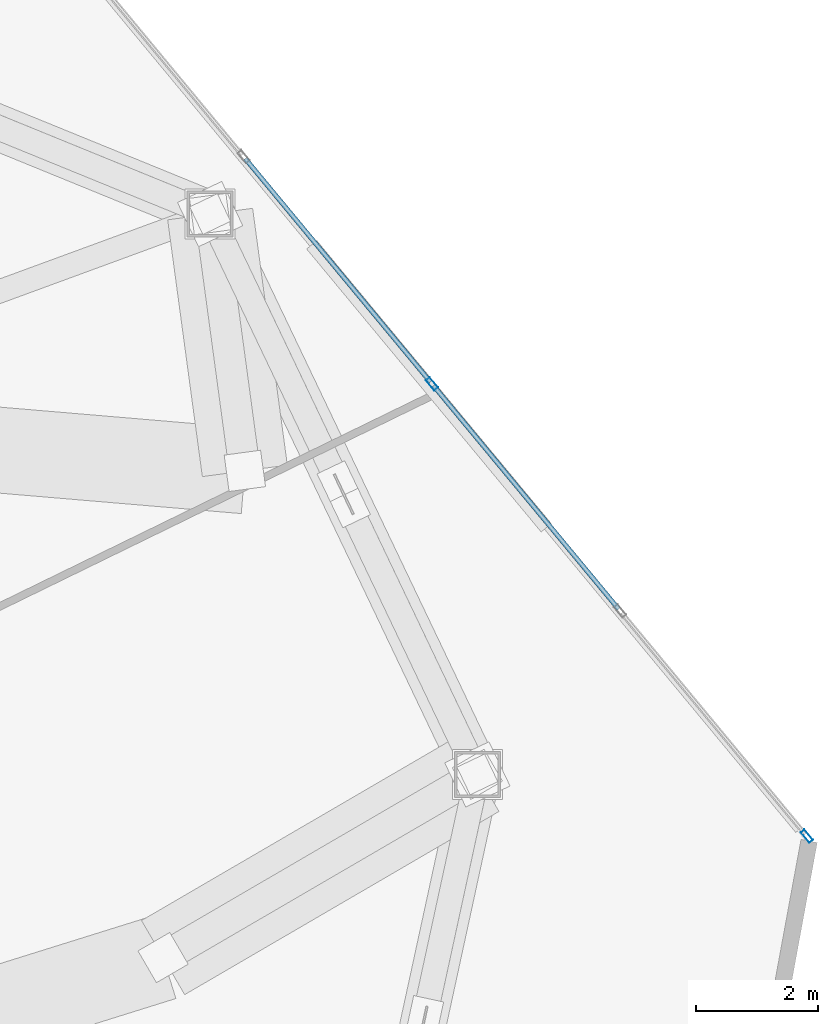
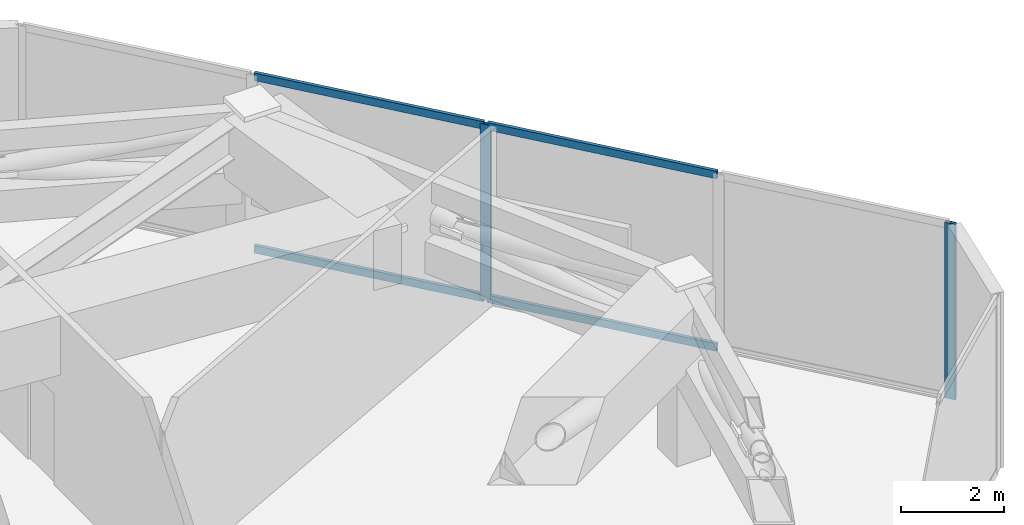
# One storey, part 15 of 25: 6 members, 1 element without a shape of its own.
"""IFC4 building model written with IfcOpenShell, lengths in metres."""

from ifc_helpers import new_model, si_unit, direction, frame, origin, origin_2d, place, context, subcontext, project, spatial, hollow_rectangle, extrude, source, transform, mapped, material, layer, layer_set, material_profile, profile_set, type_object, type_shapes, element, aggregate, save


model = new_model("IFC4")

# Units and contexts
model_context = context("Model", 3, precision=1e-05, world=origin(), true_north=direction((0.0, 1.0)))
body_context = subcontext(model_context, "Body", "Model", "MODEL_VIEW")
ifc_project = project(units=[si_unit("LENGTHUNIT", "METRE"), si_unit("AREAUNIT", "SQUARE_METRE"), si_unit("VOLUMEUNIT", "CUBIC_METRE"), si_unit("PLANEANGLEUNIT", "RADIAN"), si_unit("MASSUNIT", "GRAM", prefix="KILO")], contexts=[model_context])

# Site, building, storey
site_placement = place(None, origin())
site = spatial("IfcSite", under=ifc_project, at=site_placement, CompositionType="ELEMENT")
building_placement = place(site_placement, origin())
building = spatial("IfcBuilding", under=site, at=building_placement, Name="Talar Marvaseh", CompositionType="ELEMENT")
storey_placement = place(building_placement, frame((0.0, 0.0, 84.800048828125)))
storey = spatial("IfcBuildingStorey", under=building, at=storey_placement, Name="L21", CompositionType="ELEMENT", Elevation=84.800048828125)

# Curtain wall, members
ifc_material = material(Name="Architectural Aluminium", Category="aluminium")
ifc_layer = layer(ifc_material, 0.219970703125)
ifc_layer_set = layer_set([ifc_layer], Name="Architectural Aluminium")
curtain_wall_type = type_object("IfcCurtainWallType", Name="Unitised Low-E Museum Curtain Wall Z1", PredefinedType="NOTDEFINED", material=ifc_layer_set)
curtain_wall_placement = place(storey_placement, origin())
curtain_wall = element("IfcCurtainWall", 1, at=curtain_wall_placement, inside=storey, type_object=curtain_wall_type, Name="L21 Unitised Low-E Museum Curtain Wall Z1", PredefinedType="NOTDEFINED")
ifc_material_profile_1 = material_profile(ifc_material, hollow_rectangle(XDim=0.074951171875, YDim=0.179931640625, WallThickness=0.0048828125, at=origin_2d()), Name="RHS180x75x5")
ifc_profile_set_1 = profile_set([ifc_material_profile_1], Name="Architectural Aluminium")
member_type_1 = type_object("IfcMemberType", Name="Unitised Curtain Wall Transom RHS180x75x5", PredefinedType="USERDEFINED", material=ifc_profile_set_1)
shared_shape_1 = source(origin(), body_context, "Body", "SweptSolid", [
    extrude(hollow_rectangle(XDim=0.074951171875, YDim=0.179931640625, WallThickness=0.0048828125, at=origin_2d()), origin(), (0.0, 0.0, 1.0), 4.736572265625),
])
type_shapes(member_type_1, [shared_shape_1])
member_1_placement = place(storey_placement, frame((43.051025390625, 41.175048828125, 0.037353515625), z_axis=(0.638159311533, -0.769904340229, 0.0), x_axis=(0.769904340229, 0.638159311533, 0.0)))
member_1 = element("IfcMember", 2, at=member_1_placement, type_object=member_type_1, Name="CW-Z1 transom 2.1", ObjectType="TRANSOM", PredefinedType="USERDEFINED", context=body_context, shape_type="MappedRepresentation", body=[
    mapped(shared_shape_1, transform((0.0, 0.0, 0.0), x_axis=(1.0, 0.0, 0.0), y_axis=(0.0, 1.0, 0.0), z_axis=(0.0, 0.0, 1.0), scale=1.0)),
])
member_2_placement = place(storey_placement, frame((43.051025390625, 41.175048828125, 4.112548828125), z_axis=(0.638159311533, -0.769904340229, 0.0), x_axis=(0.769904340229, 0.638159311533, 0.0)))
member_2 = element("IfcMember", 3, at=member_2_placement, type_object=member_type_1, Name="CW-Z1 transom 2.2", ObjectType="TRANSOM", PredefinedType="USERDEFINED", context=body_context, shape_type="MappedRepresentation", body=[
    mapped(shared_shape_1, transform((0.0, 0.0, 0.0), x_axis=(1.0, 0.0, 0.0), y_axis=(0.0, 1.0, 0.0), z_axis=(0.0, 0.0, 1.0), scale=1.0)),
])
member_3_placement = place(storey_placement, frame((46.124755859375, 37.466552734375, 0.037353515625), z_axis=(0.638159311533, -0.769904340229, 0.0), x_axis=(0.769904340229, 0.638159311533, 0.0)))
member_3 = element("IfcMember", 4, at=member_3_placement, type_object=member_type_1, Name="CW-Z1 transom 3.1", ObjectType="TRANSOM", PredefinedType="USERDEFINED", context=body_context, shape_type="MappedRepresentation", body=[
    mapped(shared_shape_1, transform((0.0, 0.0, 0.0), x_axis=(1.0, 0.0, 0.0), y_axis=(0.0, 1.0, 0.0), z_axis=(0.0, 0.0, 1.0), scale=1.0)),
])
member_4_placement = place(storey_placement, frame((46.124755859375, 37.466552734375, 4.112548828125), z_axis=(0.638159311533, -0.769904340229, 0.0), x_axis=(0.769904340229, 0.638159311533, 0.0)))
member_4 = element("IfcMember", 5, at=member_4_placement, type_object=member_type_1, Name="CW-Z1 transom 3.2", ObjectType="TRANSOM", PredefinedType="USERDEFINED", context=body_context, shape_type="MappedRepresentation", body=[
    mapped(shared_shape_1, transform((0.0, 0.0, 0.0), x_axis=(1.0, 0.0, 0.0), y_axis=(0.0, 1.0, 0.0), z_axis=(0.0, 0.0, 1.0), scale=1.0)),
])
ifc_material_profile_2 = material_profile(ifc_material, hollow_rectangle(XDim=0.080078125, YDim=0.219970703125, WallThickness=0.0048828125, at=origin_2d()), Name="RHS220x80x5")
ifc_profile_set_2 = profile_set([ifc_material_profile_2], Name="Architectural Aluminium")
member_type_2 = type_object("IfcMemberType", Name="Unitised Curtain Wall Heavy Mullion RHS220x80x5", PredefinedType="MULLION", material=ifc_profile_set_2)
shared_shape_2 = source(origin(), body_context, "Body", "SweptSolid", [
    extrude(hollow_rectangle(XDim=0.080078125, YDim=0.219970703125, WallThickness=0.0048828125, at=origin_2d()), origin(), (0.0, 0.0, 1.0), 4.14990234375),
])
type_shapes(member_type_2, [shared_shape_2])
member_5_placement = place(storey_placement, frame((46.099365234375, 37.49755859375, 0.0), z_axis=(0.0, 0.0, 1.0), x_axis=(0.769914815745, 0.638146673184, 0.0)))
member_5 = element("IfcMember", 6, at=member_5_placement, type_object=member_type_2, Name="CW-Z1 mullion 3", PredefinedType="MULLION", context=body_context, shape_type="MappedRepresentation", body=[
    mapped(shared_shape_2, transform((0.0, 0.0, 0.0), x_axis=(1.0, 0.0, 0.0), y_axis=(0.0, 1.0, 0.0), z_axis=(0.0, 0.0, 1.0), scale=1.0)),
])
member_6_placement = place(storey_placement, frame((52.22119140625, 30.111572265625, 0.0), z_axis=(0.0, 0.0, 1.0), x_axis=(0.769914815745, 0.638146673184, 0.0)))
member_6 = element("IfcMember", 7, at=member_6_placement, type_object=member_type_2, Name="CW-Z1 mullion 5", PredefinedType="MULLION", context=body_context, shape_type="MappedRepresentation", body=[
    mapped(shared_shape_2, transform((0.0, 0.0, 0.0), x_axis=(1.0, 0.0, 0.0), y_axis=(0.0, 1.0, 0.0), z_axis=(0.0, 0.0, 1.0), scale=1.0)),
])
aggregate(curtain_wall, [member_5, member_6, member_1, member_2, member_3, member_4])

save(model, "model.ifc")
